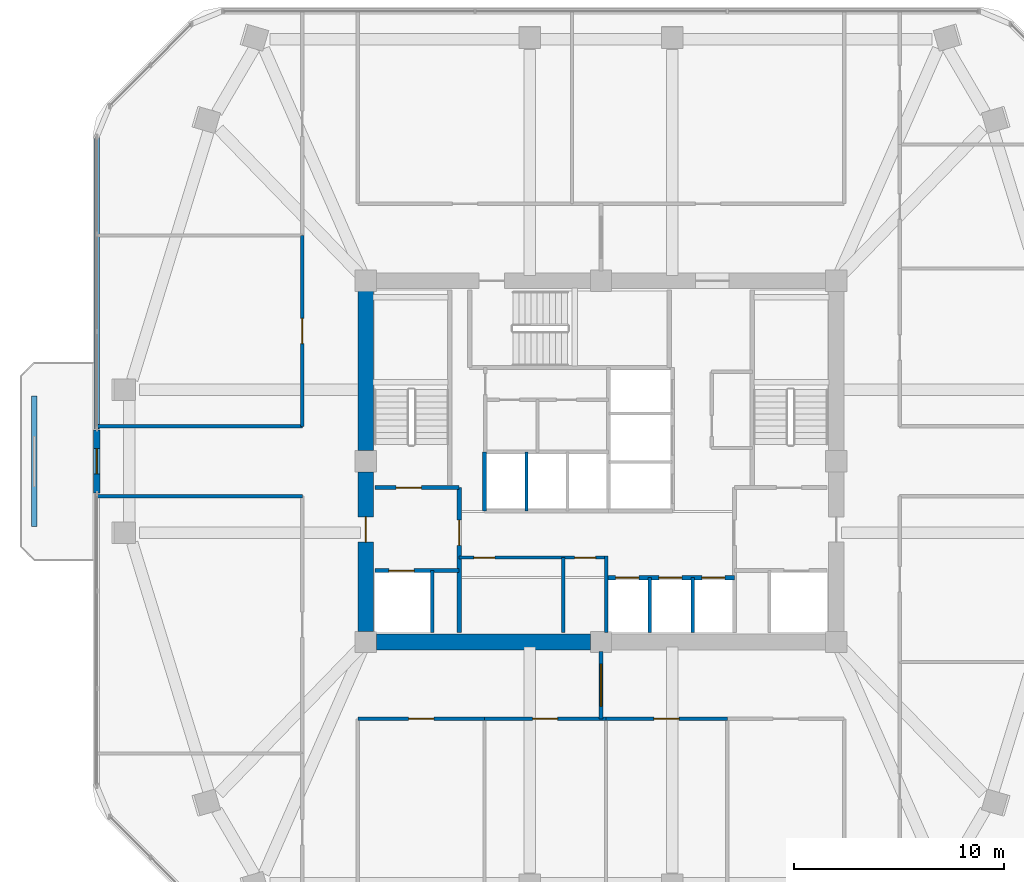
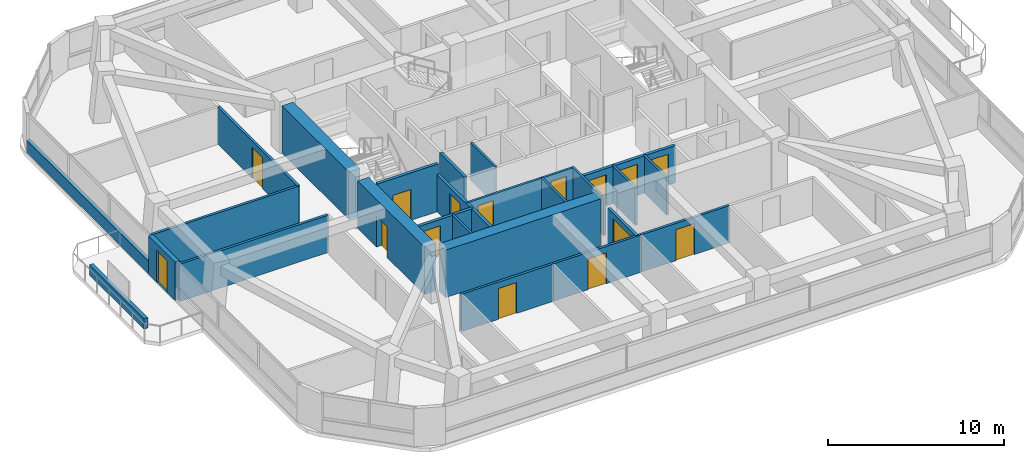
# One storey, part 9 of 14: 25 walls, 15 doors, 15 openings.
"""IFC4 building model written with IfcOpenShell, lengths in metres."""

from ifc_helpers import new_model, si_unit, derived_unit, direction, frame, frame_2d, origin, place, context, subcontext, project, spatial, rectangle, extrude, material, layer, layer_set, type_object, element, fill, save


model = new_model("IFC4")

# Units and contexts
model_context = context("Model", 3, precision=1e-05, world=origin(), true_north=direction((0.0, 1.0)))
body_context = subcontext(model_context, "Body", "Model", "MODEL_VIEW")
ifc_project = project(units=[si_unit("LENGTHUNIT", "METRE"), si_unit("AREAUNIT", "SQUARE_METRE"), si_unit("VOLUMEUNIT", "CUBIC_METRE"), si_unit("PLANEANGLEUNIT", "RADIAN"), si_unit("MASSUNIT", "GRAM", prefix="KILO"), derived_unit("THERMALTRANSMITTANCEUNIT", [(si_unit("POWERUNIT", "WATT"), 1), (si_unit("LENGTHUNIT", "METRE"), -2), (si_unit("THERMODYNAMICTEMPERATUREUNIT", "KELVIN"), -1)])], contexts=[model_context])

# Site, building, storey
site_placement = place(None, origin())
site = spatial("IfcSite", under=ifc_project, at=site_placement, CompositionType="ELEMENT")
building_placement = place(site_placement, origin())
building = spatial("IfcBuilding", under=site, at=building_placement, Name="Koralith Skygarden Medical Center", CompositionType="ELEMENT")
storey_placement = place(building_placement, frame((0.0, 0.0, 120.780029296875)))
storey = spatial("IfcBuildingStorey", under=building, at=storey_placement, Name="L31", CompositionType="ELEMENT", Elevation=120.780029296875)

# Wall, openings, doors
ifc_material_1 = material(Name="Gypsum Board Partition")
ifc_layer_1 = layer(ifc_material_1, 0.14990234375)
ifc_layer_set_1 = layer_set([ifc_layer_1], Name="Gypsum Board Partition")
wall_type_1 = type_object("IfcWallType", Name="Clinical Acoustic Partition 150", PredefinedType="PARTITIONING", material=ifc_layer_set_1)
wall_1_placement = place(storey_placement, frame((30.25, 21.320068359375, 0.0), z_axis=(0.0, 0.0, 1.0), x_axis=(1.0, 0.0, 0.0)))
wall_1 = element("IfcWall", 1, at=wall_1_placement, inside=storey, type_object=wall_type_1, Name="L31 Clinical Acoustic Partition 150 W-CORE-L31-FREED-LR-N", PredefinedType="PARTITIONING", context=body_context, shape_type="SweptSolid", body=[
    extrude(rectangle(XDim=7.0, YDim=0.14990234375, at=frame_2d((3.5, 0.0))), origin(), (0.0, 0.0, 1.0), 2.590087890625),
])
opening_1_placement = place(wall_1_placement, frame((0.699951171875, 0.0, 0.0)))
opening_1 = element("IfcOpeningElement", 2, at=opening_1_placement, cuts=wall_1, Name="Opening D-SUP", PredefinedType="OPENING", context=body_context, shape_type="SweptSolid", body=[
    extrude(rectangle(XDim=1.0, YDim=2.14990234375, at=frame_2d((0.5, 1.074951171875))), frame((0.0, 0.0849609375, 0.0), z_axis=(0.0, -1.0, 0.0), x_axis=(1.0, 0.0, 0.0)), (0.0, 0.0, 1.0), 0.169921875),
])
opening_2_placement = place(wall_1_placement, frame((5.5, 0.0, 0.0)))
opening_2 = element("IfcOpeningElement", 3, at=opening_2_placement, cuts=wall_1, Name="Opening D-SUP", PredefinedType="OPENING", context=body_context, shape_type="SweptSolid", body=[
    extrude(rectangle(XDim=1.0, YDim=2.14990234375, at=frame_2d((0.5, 1.074951171875))), frame((0.0, 0.0849609375, 0.0), z_axis=(0.0, -1.0, 0.0), x_axis=(1.0, 0.0, 0.0)), (0.0, 0.0, 1.0), 0.169921875),
])
ifc_material_2 = material(Name="Aluminium 6063-T6", Category="aluminium")
door_type_1 = type_object("IfcDoorType", Name="Clinical Support Door D-SUP 1000", OperationType="NOTDEFINED", PredefinedType="DOOR", material=ifc_material_2)
door_1_placement = place(opening_1_placement, frame((1.0, 0.0, 0.0), z_axis=(0.0, 0.0, 1.0), x_axis=(-1.0, 0.0, 0.0)))
door_1 = element("IfcDoor", 4, at=door_1_placement, inside=storey, type_object=door_type_1, Name="L31 Medication Preparation Door", OperationType="SINGLE_SWING_LEFT", OverallHeight=2.14990234375, OverallWidth=1.0, PredefinedType="DOOR", context=body_context, shape_type="SweptSolid", body=[
    extrude(rectangle(XDim=1.0, YDim=2.14990234375, at=frame_2d((0.5, 1.074951171875))), frame((0.0, 0.02490234375, 0.0), z_axis=(0.0, -1.0, 0.0), x_axis=(1.0, 0.0, 0.0)), (0.0, 0.0, 1.0), 0.050048828125),
])
fill(opening_1, door_1)
door_2_placement = place(opening_2_placement, frame((1.0, 0.0, 0.0), z_axis=(0.0, 0.0, 1.0), x_axis=(-1.0, 0.0, 0.0)))
door_2 = element("IfcDoor", 5, at=door_2_placement, inside=storey, type_object=door_type_1, Name="L31 Telemetry Room Door", OperationType="SINGLE_SWING_RIGHT", OverallHeight=2.14990234375, OverallWidth=1.0, PredefinedType="DOOR", context=body_context, shape_type="SweptSolid", body=[
    extrude(rectangle(XDim=1.0, YDim=2.14990234375, at=frame_2d((0.5, 1.074951171875))), frame((0.0, 0.02490234375, 0.0), z_axis=(0.0, -1.0, 0.0), x_axis=(1.0, 0.0, 0.0)), (0.0, 0.0, 1.0), 0.050048828125),
])
fill(opening_2, door_2)

# Walls
wall_2_placement = place(storey_placement, frame((35.199951171875, 17.75, 0.0), z_axis=(0.0, 0.0, 1.0), x_axis=(0.0, 1.0, 0.0)))
element("IfcWall", 6, at=wall_2_placement, inside=storey, type_object=wall_type_1, Name="L31 Clinical Acoustic Partition 150 W-CORE-L31-FREED-LR-M", PredefinedType="PARTITIONING", context=body_context, shape_type="SweptSolid", body=[
    extrude(rectangle(XDim=3.570068359375, YDim=0.14990234375, at=frame_2d((1.78515625, 0.0))), origin(), (0.0, 0.0, 1.0), 2.590087890625),
])
ifc_layer_2 = layer(ifc_material_1, 0.1650390625)
ifc_layer_set_2 = layer_set([ifc_layer_2], Name="Gypsum Board Partition")
wall_type_2 = type_object("IfcWallType", Name="Clinical Corridor Partition 165", PredefinedType="PARTITIONING", material=ifc_layer_set_2)
for number, where, z_axis, x_axis, name in (
    (7, (13.02001953125, 24.239990234375, 0.0), (0.0, 0.0, 1.0), (1.0, 0.0, 0.0), "L31 Clinical Corridor Partition 165 W-HCOR-L31-EWS-W"),
    (8, (13.02001953125, 27.56005859375, 0.0), (0.0, 0.0, 1.0), (1.0, 0.0, 0.0), "L31 Clinical Corridor Partition 165 W-HCOR-L31-EWN-W"),
):
    element("IfcWall", number, at=place(storey_placement, frame(where, z_axis=z_axis, x_axis=x_axis)), inside=storey, type_object=wall_type_2, Name=name, PredefinedType="PARTITIONING", context=body_context, shape_type="SweptSolid", body=[
        extrude(rectangle(XDim=9.77001953125, YDim=0.1650390625, at=frame_2d((4.885009765625, 0.0))), origin(), (0.0, 0.0, 1.0), 2.590087890625),
    ])

# Wall, opening, door
wall_3_placement = place(storey_placement, frame((25.429931640625, 13.639892578125, 0.0), z_axis=(0.0, 0.0, 1.0), x_axis=(1.0, 0.0, 0.0)))
wall_3 = element("IfcWall", 9, at=wall_3_placement, inside=storey, type_object=wall_type_2, Name="L31 Clinical Corridor Partition 165 W-CORR-L31-S-01", PredefinedType="PARTITIONING", context=body_context, shape_type="SweptSolid", body=[
    extrude(rectangle(XDim=6.02099609375, YDim=0.1650390625, at=frame_2d((3.010498046875, 0.0))), origin(), (0.0, 0.0, 1.0), 2.590087890625),
])
opening_3_placement = place(wall_3_placement, frame((2.410888671875, 0.0, 0.0)))
opening_3 = element("IfcOpeningElement", 10, at=opening_3_placement, cuts=wall_3, Name="Opening D-CLN", PredefinedType="OPENING", context=body_context, shape_type="SweptSolid", body=[
    extrude(rectangle(XDim=1.199951171875, YDim=2.14990234375, at=frame_2d((0.60009765625, 1.074951171875))), frame((0.0, 0.092529296875, 0.0), z_axis=(0.0, -1.0, 0.0), x_axis=(1.0, 0.0, 0.0)), (0.0, 0.0, 1.0), 0.18505859375),
])
door_type_2 = type_object("IfcDoorType", Name="Clinical Corridor Door D-CLN 1200", OperationType="NOTDEFINED", PredefinedType="DOOR", material=ifc_material_2)
door_3_placement = place(opening_3_placement, frame((1.199951171875, 0.0, 0.0), z_axis=(0.0, 0.0, 1.0), x_axis=(-1.0, 0.0, 0.0)))
door_3 = element("IfcDoor", 11, at=door_3_placement, inside=storey, type_object=door_type_2, Name="L31 Biomedical Cart Store 03 Door", OperationType="SINGLE_SWING_RIGHT", OverallHeight=2.14990234375, OverallWidth=1.199951171875, PredefinedType="DOOR", context=body_context, shape_type="SweptSolid", body=[
    extrude(rectangle(XDim=1.199951171875, YDim=2.14990234375, at=frame_2d((0.60009765625, 1.074951171875))), frame((0.0, 0.02490234375, 0.0), z_axis=(0.0, -1.0, 0.0), x_axis=(1.0, 0.0, 0.0)), (0.0, 0.0, 1.0), 0.050048828125),
])
fill(opening_3, door_3)

wall_4_placement = place(storey_placement, frame((31.450927734375, 13.639892578125, 0.0), z_axis=(0.0, 0.0, 1.0), x_axis=(1.0, 0.0, 0.0)))
wall_4 = element("IfcWall", 12, at=wall_4_placement, inside=storey, type_object=wall_type_2, Name="L31 Clinical Corridor Partition 165 W-CORR-L31-S-02", PredefinedType="PARTITIONING", context=body_context, shape_type="SweptSolid", body=[
    extrude(rectangle(XDim=5.780029296875, YDim=0.1650390625, at=frame_2d((2.89013671875, 0.0))), origin(), (0.0, 0.0, 1.0), 2.590087890625),
])
opening_4_placement = place(wall_4_placement, frame((2.2900390625, 0.0, 0.0)))
opening_4 = element("IfcOpeningElement", 13, at=opening_4_placement, cuts=wall_4, Name="Opening D-CLN", PredefinedType="OPENING", context=body_context, shape_type="SweptSolid", body=[
    extrude(rectangle(XDim=1.199951171875, YDim=2.14990234375, at=frame_2d((0.60009765625, 1.074951171875))), frame((0.0, 0.092529296875, 0.0), z_axis=(0.0, -1.0, 0.0), x_axis=(1.0, 0.0, 0.0)), (0.0, 0.0, 1.0), 0.18505859375),
])
door_4_placement = place(opening_4_placement, frame((1.199951171875, 0.0, 0.0), z_axis=(0.0, 0.0, 1.0), x_axis=(-1.0, 0.0, 0.0)))
door_4 = element("IfcDoor", 14, at=door_4_placement, inside=storey, type_object=door_type_2, Name="L31 Visitor Waiting Lounge 04 Door", OperationType="SINGLE_SWING_LEFT", OverallHeight=2.14990234375, OverallWidth=1.199951171875, PredefinedType="DOOR", context=body_context, shape_type="SweptSolid", body=[
    extrude(rectangle(XDim=1.199951171875, YDim=2.14990234375, at=frame_2d((0.60009765625, 1.074951171875))), frame((0.0, 0.02490234375, 0.0), z_axis=(0.0, -1.0, 0.0), x_axis=(1.0, 0.0, 0.0)), (0.0, 0.0, 1.0), 0.050048828125),
])
fill(opening_4, door_4)

wall_5_placement = place(storey_placement, frame((37.23095703125, 13.639892578125, 0.0), z_axis=(0.0, 0.0, 1.0), x_axis=(1.0, 0.0, 0.0)))
wall_5 = element("IfcWall", 15, at=wall_5_placement, inside=storey, type_object=wall_type_2, Name="L31 Clinical Corridor Partition 165 W-CORR-L31-S-03", PredefinedType="PARTITIONING", context=body_context, shape_type="SweptSolid", body=[
    extrude(rectangle(XDim=5.780029296875, YDim=0.1650390625, at=frame_2d((2.89013671875, 0.0))), origin(), (0.0, 0.0, 1.0), 2.590087890625),
])
opening_5_placement = place(wall_5_placement, frame((2.2900390625, 0.0, 0.0)))
opening_5 = element("IfcOpeningElement", 16, at=opening_5_placement, cuts=wall_5, Name="Opening D-CLN", PredefinedType="OPENING", context=body_context, shape_type="SweptSolid", body=[
    extrude(rectangle(XDim=1.199951171875, YDim=2.14990234375, at=frame_2d((0.60009765625, 1.074951171875))), frame((0.0, 0.092529296875, 0.0), z_axis=(0.0, -1.0, 0.0), x_axis=(1.0, 0.0, 0.0)), (0.0, 0.0, 1.0), 0.18505859375),
])
door_5_placement = place(opening_5_placement, frame((1.199951171875, 0.0, 0.0), z_axis=(0.0, 0.0, 1.0), x_axis=(-1.0, 0.0, 0.0)))
door_5 = element("IfcDoor", 17, at=door_5_placement, inside=storey, type_object=door_type_2, Name="L31 Telemedicine Consult Office 05 Door", OperationType="SINGLE_SWING_RIGHT", OverallHeight=2.14990234375, OverallWidth=1.199951171875, PredefinedType="DOOR", context=body_context, shape_type="SweptSolid", body=[
    extrude(rectangle(XDim=1.199951171875, YDim=2.14990234375, at=frame_2d((0.60009765625, 1.074951171875))), frame((0.0, 0.02490234375, 0.0), z_axis=(0.0, -1.0, 0.0), x_axis=(1.0, 0.0, 0.0)), (0.0, 0.0, 1.0), 0.050048828125),
])
fill(opening_5, door_5)

wall_6_placement = place(storey_placement, frame((22.7900390625, 27.56005859375, 0.0), z_axis=(0.0, 0.0, 1.0), x_axis=(0.0, 1.0, 0.0)))
wall_6 = element("IfcWall", 18, at=wall_6_placement, inside=storey, type_object=wall_type_2, Name="L31 Clinical Corridor Partition 165 W-CORR-L31-WN-01", PredefinedType="PARTITIONING", context=body_context, shape_type="SweptSolid", body=[
    extrude(rectangle(XDim=9.08203125, YDim=0.1650390625, at=frame_2d((4.541015625, 0.0))), origin(), (0.0, 0.0, 1.0), 2.590087890625),
])
opening_6_placement = place(wall_6_placement, frame((3.94091796875, 0.0, 0.0)))
opening_6 = element("IfcOpeningElement", 19, at=opening_6_placement, cuts=wall_6, Name="Opening D-CLN", PredefinedType="OPENING", context=body_context, shape_type="SweptSolid", body=[
    extrude(rectangle(XDim=1.199951171875, YDim=2.14990234375, at=frame_2d((0.60009765625, 1.074951171875))), frame((0.0, 0.092529296875, 0.0), z_axis=(0.0, -1.0, 0.0), x_axis=(1.0, 0.0, 0.0)), (0.0, 0.0, 1.0), 0.18505859375),
])
door_6_placement = place(opening_6_placement, frame((1.199951171875, 0.0, 0.0), z_axis=(0.0, 0.0, 1.0), x_axis=(-1.0, 0.0, 0.0)))
door_6 = element("IfcDoor", 20, at=door_6_placement, inside=storey, type_object=door_type_2, Name="L31 Telemedicine Consult Office 09 Door", OperationType="SINGLE_SWING_RIGHT", OverallHeight=2.14990234375, OverallWidth=1.199951171875, PredefinedType="DOOR", context=body_context, shape_type="SweptSolid", body=[
    extrude(rectangle(XDim=1.199951171875, YDim=2.14990234375, at=frame_2d((0.60009765625, 1.074951171875))), frame((0.0, 0.02490234375, 0.0), z_axis=(0.0, -1.0, 0.0), x_axis=(1.0, 0.0, 0.0)), (0.0, 0.0, 1.0), 0.050048828125),
])
fill(opening_6, door_6)

ifc_layer_3 = layer(ifc_material_1, 0.199951171875)
ifc_layer_set_3 = layer_set([ifc_layer_3], Name="Gypsum Board Partition")
wall_type_3 = type_object("IfcWallType", Name="Fire Shaft Wall 200", PredefinedType="SOLIDWALL", material=ifc_layer_set_3)
wall_7_placement = place(storey_placement, frame((26.25, 20.699951171875, 0.0), z_axis=(0.0, 0.0, 1.0), x_axis=(1.0, 0.0, 0.0)))
wall_7 = element("IfcWall", 21, at=wall_7_placement, inside=storey, type_object=wall_type_3, Name="L31 Fire Shaft Wall 200 W-CORE-L31-FF1-N", PredefinedType="SOLIDWALL", context=body_context, shape_type="SweptSolid", body=[
    extrude(rectangle(XDim=4.0, YDim=0.199951171875, at=frame_2d((2.0, 0.0))), origin(), (0.0, 0.0, 1.0), 2.590087890625),
])
opening_7_placement = place(wall_7_placement, frame((0.64990234375, 0.0, 0.0)))
opening_7 = element("IfcOpeningElement", 22, at=opening_7_placement, cuts=wall_7, Name="Opening LD-FF", PredefinedType="OPENING", context=body_context, shape_type="SweptSolid", body=[
    extrude(rectangle(XDim=1.199951171875, YDim=2.14990234375, at=frame_2d((0.60009765625, 1.074951171875))), frame((0.0, 0.10986328125, 0.0), z_axis=(0.0, -1.0, 0.0), x_axis=(1.0, 0.0, 0.0)), (0.0, 0.0, 1.0), 0.219970703125),
])
ifc_material_3 = material(Name="Steel ASTM A500 Grade C", Category="steel")
door_type_3 = type_object("IfcDoorType", Name="Fire Lift Sliding Landing Door LD-FF 1200", OperationType="NOTDEFINED", PredefinedType="DOOR", material=ifc_material_3)
door_7_placement = place(opening_7_placement, origin())
door_7 = element("IfcDoor", 23, at=door_7_placement, inside=storey, type_object=door_type_3, Name="L31 Fire Service Elevator FF1 Landing Door", OperationType="SLIDING_TO_LEFT", OverallHeight=2.14990234375, OverallWidth=1.199951171875, PredefinedType="DOOR", context=body_context, shape_type="SweptSolid", body=[
    extrude(rectangle(XDim=1.199951171875, YDim=2.14990234375, at=frame_2d((0.60009765625, 1.074951171875))), frame((0.0, 0.02490234375, 0.0), z_axis=(0.0, -1.0, 0.0), x_axis=(1.0, 0.0, 0.0)), (0.0, 0.0, 1.0), 0.050048828125),
])
fill(opening_7, door_7)

wall_8_placement = place(storey_placement, frame((30.25, 17.75, 0.0), z_axis=(0.0, 0.0, 1.0), x_axis=(0.0, 1.0, 0.0)))
wall_8 = element("IfcWall", 24, at=wall_8_placement, inside=storey, type_object=wall_type_3, Name="L31 Fire Shaft Wall 200 W-CORE-L31-FSAEW-E", PredefinedType="SOLIDWALL", context=body_context, shape_type="SweptSolid", body=[
    extrude(rectangle(XDim=6.89990234375, YDim=0.199951171875, at=frame_2d((3.449951171875, 0.0))), origin(), (0.0, 0.0, 1.0), 2.590087890625),
])
opening_8_placement = place(wall_8_placement, frame((4.14990234375, 0.0, 0.0)))
opening_8 = element("IfcOpeningElement", 25, at=opening_8_placement, cuts=wall_8, Name="Opening D-ST60", PredefinedType="OPENING", context=body_context, shape_type="SweptSolid", body=[
    extrude(rectangle(XDim=1.199951171875, YDim=2.14990234375, at=frame_2d((0.60009765625, 1.074951171875))), frame((0.0, 0.10986328125, 0.0), z_axis=(0.0, -1.0, 0.0), x_axis=(1.0, 0.0, 0.0)), (0.0, 0.0, 1.0), 0.219970703125),
])
door_type_4 = type_object("IfcDoorType", Name="Smokeproof Stair Fire Door FD60S 1200", OperationType="NOTDEFINED", PredefinedType="DOOR", material=ifc_material_3)
door_8_placement = place(opening_8_placement, origin())
door_8 = element("IfcDoor", 26, at=door_8_placement, inside=storey, type_object=door_type_4, Name="L31 West Firefighting Lobby Inner Fire Door", OperationType="SINGLE_SWING_LEFT", OverallHeight=2.14990234375, OverallWidth=1.199951171875, PredefinedType="DOOR", context=body_context, shape_type="SweptSolid", body=[
    extrude(rectangle(XDim=1.199951171875, YDim=2.14990234375, at=frame_2d((0.60009765625, 1.074951171875))), frame((0.0, 0.02490234375, 0.0), z_axis=(0.0, -1.0, 0.0), x_axis=(1.0, 0.0, 0.0)), (0.0, 0.0, 1.0), 0.050048828125),
])
fill(opening_8, door_8)

# Wall, openings, doors
wall_9_placement = place(storey_placement, frame((37.25, 20.360107421875, 0.0), z_axis=(0.0, 0.0, 1.0), x_axis=(1.0, 0.0, 0.0)))
wall_9 = element("IfcWall", 27, at=wall_9_placement, inside=storey, type_object=wall_type_3, Name="L31 Fire Shaft Wall 200 W-CORE-L31-PM-N", PredefinedType="SOLIDWALL", context=body_context, shape_type="SweptSolid", body=[
    extrude(rectangle(XDim=6.10009765625, YDim=0.199951171875, at=frame_2d((3.050048828125, 0.0))), origin(), (0.0, 0.0, 1.0), 2.590087890625),
])
opening_9_placement = place(wall_9_placement, frame((0.449951171875, 0.0, 0.0)))
opening_9 = element("IfcOpeningElement", 28, at=opening_9_placement, cuts=wall_9, Name="Opening LD-P", PredefinedType="OPENING", context=body_context, shape_type="SweptSolid", body=[
    extrude(rectangle(XDim=1.10009765625, YDim=2.14990234375, at=frame_2d((0.550048828125, 1.074951171875))), frame((0.0, 0.10986328125, 0.0), z_axis=(0.0, -1.0, 0.0), x_axis=(1.0, 0.0, 0.0)), (0.0, 0.0, 1.0), 0.219970703125),
])
opening_10_placement = place(wall_9_placement, frame((2.5, 0.0, 0.0)))
opening_10 = element("IfcOpeningElement", 29, at=opening_10_placement, cuts=wall_9, Name="Opening LD-P", PredefinedType="OPENING", context=body_context, shape_type="SweptSolid", body=[
    extrude(rectangle(XDim=1.10009765625, YDim=2.14990234375, at=frame_2d((0.550048828125, 1.074951171875))), frame((0.0, 0.10986328125, 0.0), z_axis=(0.0, -1.0, 0.0), x_axis=(1.0, 0.0, 0.0)), (0.0, 0.0, 1.0), 0.219970703125),
])
opening_11_placement = place(wall_9_placement, frame((4.550048828125, 0.0, 0.0)))
opening_11 = element("IfcOpeningElement", 30, at=opening_11_placement, cuts=wall_9, Name="Opening LD-P", PredefinedType="OPENING", context=body_context, shape_type="SweptSolid", body=[
    extrude(rectangle(XDim=1.10009765625, YDim=2.14990234375, at=frame_2d((0.550048828125, 1.074951171875))), frame((0.0, 0.10986328125, 0.0), z_axis=(0.0, -1.0, 0.0), x_axis=(1.0, 0.0, 0.0)), (0.0, 0.0, 1.0), 0.219970703125),
])
door_type_5 = type_object("IfcDoorType", Name="Passenger Lift Sliding Landing Door LD-P 1100", OperationType="NOTDEFINED", PredefinedType="DOOR", material=ifc_material_3)
door_9_placement = place(opening_9_placement, origin())
door_9 = element("IfcDoor", 31, at=door_9_placement, inside=storey, type_object=door_type_5, Name="L31 Passenger Elevator PM1 Landing Door", OperationType="SLIDING_TO_LEFT", OverallHeight=2.14990234375, OverallWidth=1.10009765625, PredefinedType="DOOR", context=body_context, shape_type="SweptSolid", body=[
    extrude(rectangle(XDim=1.10009765625, YDim=2.14990234375, at=frame_2d((0.550048828125, 1.074951171875))), frame((0.0, 0.02490234375, 0.0), z_axis=(0.0, -1.0, 0.0), x_axis=(1.0, 0.0, 0.0)), (0.0, 0.0, 1.0), 0.050048828125),
])
fill(opening_9, door_9)
door_10_placement = place(opening_10_placement, origin())
door_10 = element("IfcDoor", 32, at=door_10_placement, inside=storey, type_object=door_type_5, Name="L31 Passenger Elevator PM2 Landing Door", OperationType="SLIDING_TO_LEFT", OverallHeight=2.14990234375, OverallWidth=1.10009765625, PredefinedType="DOOR", context=body_context, shape_type="SweptSolid", body=[
    extrude(rectangle(XDim=1.10009765625, YDim=2.14990234375, at=frame_2d((0.550048828125, 1.074951171875))), frame((0.0, 0.02490234375, 0.0), z_axis=(0.0, -1.0, 0.0), x_axis=(1.0, 0.0, 0.0)), (0.0, 0.0, 1.0), 0.050048828125),
])
fill(opening_10, door_10)
door_11_placement = place(opening_11_placement, origin())
door_11 = element("IfcDoor", 33, at=door_11_placement, inside=storey, type_object=door_type_5, Name="L31 Passenger Elevator PM3 Landing Door", OperationType="SLIDING_TO_LEFT", OverallHeight=2.14990234375, OverallWidth=1.10009765625, PredefinedType="DOOR", context=body_context, shape_type="SweptSolid", body=[
    extrude(rectangle(XDim=1.10009765625, YDim=2.14990234375, at=frame_2d((0.550048828125, 1.074951171875))), frame((0.0, 0.02490234375, 0.0), z_axis=(0.0, -1.0, 0.0), x_axis=(1.0, 0.0, 0.0)), (0.0, 0.0, 1.0), 0.050048828125),
])
fill(opening_11, door_11)

# Wall
wall_10_placement = place(storey_placement, frame((31.449951171875, 23.5400390625, 0.0), z_axis=(0.0, 0.0, 1.0), x_axis=(0.0, 1.0, 0.0)))
element("IfcWall", 34, at=wall_10_placement, inside=storey, type_object=wall_type_3, Name="L31 Fire Shaft Wall 200 W-CORE-L31-PH-W", PredefinedType="SOLIDWALL", context=body_context, shape_type="SweptSolid", body=[
    extrude(rectangle(XDim=2.81005859375, YDim=0.199951171875, at=frame_2d((1.405029296875, 0.0))), origin(), (0.0, 0.0, 1.0), 2.590087890625),
])

# Wall, opening, door
ifc_layer_4 = layer(ifc_material_1, 0.179931640625)
ifc_layer_set_4 = layer_set([ifc_layer_4], Name="Gypsum Board Partition")
wall_type_4 = type_object("IfcWallType", Name="Group I-2 Smoke Barrier Wall 180", PredefinedType="PARTITIONING", material=ifc_layer_set_4)
wall_11_placement = place(storey_placement, frame((37.0, 13.639892578125, 0.0), z_axis=(0.0, 0.0, 1.0), x_axis=(0.0, 1.0, 0.0)))
wall_11 = element("IfcWall", 35, at=wall_11_placement, inside=storey, type_object=wall_type_4, Name="L31 Group I-2 Smoke Barrier Wall 180 W-SMK-L31-S", PredefinedType="PARTITIONING", context=body_context, shape_type="SweptSolid", body=[
    extrude(rectangle(XDim=3.210205078125, YDim=0.179931640625, at=frame_2d((1.60498046875, 0.0))), origin(), (0.0, 0.0, 1.0), 2.590087890625),
])
opening_12_placement = place(wall_11_placement, frame((0.60498046875, 0.0, 0.0)))
opening_12 = element("IfcOpeningElement", 36, at=opening_12_placement, cuts=wall_11, Name="Opening D-SMK", PredefinedType="OPENING", context=body_context, shape_type="SweptSolid", body=[
    extrude(rectangle(XDim=2.0, YDim=2.199951171875, at=frame_2d((1.0, 1.10009765625))), frame((0.0, 0.099853515625, 0.0), z_axis=(0.0, -1.0, 0.0), x_axis=(1.0, 0.0, 0.0)), (0.0, 0.0, 1.0), 0.199951171875),
])
door_type_6 = type_object("IfcDoorType", Name="Cross-Corridor Double Smoke Door FD60S 2000", OperationType="NOTDEFINED", PredefinedType="DOOR", material=ifc_material_3)
door_12_placement = place(opening_12_placement, frame((2.0, 0.0, 0.0), z_axis=(0.0, 0.0, 1.0), x_axis=(-1.0, 0.0, 0.0)))
door_12 = element("IfcDoor", 37, at=door_12_placement, inside=storey, type_object=door_type_6, Name="L31 S Smoke Compartment Cross-Corridor Door", OperationType="DOUBLE_DOOR_SINGLE_SWING", OverallHeight=2.199951171875, OverallWidth=2.0, PredefinedType="DOOR", context=body_context, shape_type="SweptSolid", body=[
    extrude(rectangle(XDim=2.0, YDim=2.199951171875, at=frame_2d((1.0, 1.10009765625))), frame((0.0, 0.02490234375, 0.0), z_axis=(0.0, -1.0, 0.0), x_axis=(1.0, 0.0, 0.0)), (0.0, 0.0, 1.0), 0.050048828125),
])
fill(opening_12, door_12)

# Walls
ifc_material_4 = material(Name="Warm Oolitic Limestone Cladding", Category="masonry")
ifc_layer_5 = layer(ifc_material_4, 0.239990234375)
ifc_layer_set_5 = layer_set([ifc_layer_5], Name="Warm Oolitic Limestone Cladding")
wall_type_5 = type_object("IfcWallType", Name="Limestone Spandrel Sill Backup Wall 240", PredefinedType="SOLIDWALL", material=ifc_layer_set_5)
wall_12_placement = place(storey_placement, frame((13.0, 41.347900390625, 0.0), z_axis=(0.0, 0.0, 1.0), x_axis=(0.0, -1.0, 0.0)))
element("IfcWall", 38, at=wall_12_placement, inside=storey, type_object=wall_type_5, Name="L31 Sill Spandrel W-L", PredefinedType="SOLIDWALL", context=body_context, shape_type="SweptSolid", body=[
    extrude(rectangle(XDim=13.907958984375, YDim=0.239990234375, at=frame_2d((6.9541015625, 0.0))), origin(), (0.0, 0.0, 1.0), 0.849853515625),
])
ifc_material_5 = material(Name="Concrete C70/85", Category="concrete")
ifc_layer_6 = layer(ifc_material_5, 0.75)
ifc_layer_set_6 = layer_set([ifc_layer_6], Name="Concrete C70/85")
wall_type_6 = type_object("IfcWallType", Name="Mid Core Shear Wall 750", PredefinedType="SHEAR", material=ifc_layer_set_6)
wall_13_placement = place(storey_placement, frame((26.304931640625, 17.300048828125, 0.0), z_axis=(0.0, 0.0, 1.0), x_axis=(1.0, 0.0, 0.0)))
element("IfcWall", 39, at=wall_13_placement, inside=storey, type_object=wall_type_6, Name="L31 Core Shear Wall Segment 1", PredefinedType="SHEAR", context=body_context, shape_type="SweptSolid", body=[
    extrude(rectangle(XDim=10.190185546875, YDim=0.75, at=frame_2d((5.09521484375, 0.0))), origin(), (0.0, 0.0, 1.0), 3.300048828125),
])
wall_14_placement = place(storey_placement, frame((25.800048828125, 33.9951171875, 0.0), z_axis=(0.0, 0.0, 1.0), x_axis=(0.0, -1.0, 0.0)))
element("IfcWall", 40, at=wall_14_placement, inside=storey, type_object=wall_type_6, Name="L31 Core Shear Wall Segment 7", PredefinedType="SHEAR", context=body_context, shape_type="SweptSolid", body=[
    extrude(rectangle(XDim=7.590087890625, YDim=0.75, at=frame_2d((3.794921875, 0.0))), origin(), (0.0, 0.0, 1.0), 3.300048828125),
])

# Wall, opening, door
wall_15_placement = place(storey_placement, frame((25.800048828125, 25.39501953125, 0.0), z_axis=(0.0, 0.0, 1.0), x_axis=(0.0, -1.0, 0.0)))
wall_15 = element("IfcWall", 41, at=wall_15_placement, inside=storey, type_object=wall_type_6, Name="L31 Core Shear Wall Segment 8", PredefinedType="SHEAR", context=body_context, shape_type="SweptSolid", body=[
    extrude(rectangle(XDim=7.590087890625, YDim=0.75, at=frame_2d((3.794921875, 0.0))), origin(), (0.0, 0.0, 1.0), 3.300048828125),
])
opening_13_placement = place(wall_15_placement, frame((2.14501953125, 0.0, 0.0)))
opening_13 = element("IfcOpeningElement", 42, at=opening_13_placement, cuts=wall_15, Name="Opening D-ST60", PredefinedType="OPENING", context=body_context, shape_type="SweptSolid", body=[
    extrude(rectangle(XDim=1.199951171875, YDim=2.14990234375, at=frame_2d((0.60009765625, 1.074951171875))), frame((0.0, 0.385009765625, 0.0), z_axis=(0.0, -1.0, 0.0), x_axis=(1.0, 0.0, 0.0)), (0.0, 0.0, 1.0), 0.77001953125),
])
door_13_placement = place(opening_13_placement, frame((1.199951171875, 0.0, 0.0), z_axis=(0.0, 0.0, 1.0), x_axis=(-1.0, 0.0, 0.0)))
door_13 = element("IfcDoor", 43, at=door_13_placement, inside=storey, type_object=door_type_4, Name="L31 West Corridor to Firefighting Lobby Door", OperationType="SINGLE_SWING_LEFT", OverallHeight=2.14990234375, OverallWidth=1.199951171875, PredefinedType="DOOR", context=body_context, shape_type="SweptSolid", body=[
    extrude(rectangle(XDim=1.199951171875, YDim=2.14990234375, at=frame_2d((0.60009765625, 1.074951171875))), frame((0.0, 0.02490234375, 0.0), z_axis=(0.0, -1.0, 0.0), x_axis=(1.0, 0.0, 0.0)), (0.0, 0.0, 1.0), 0.050048828125),
])
fill(opening_13, door_13)

ifc_layer_7 = layer(ifc_material_4, 0.300048828125)
ifc_layer_set_7 = layer_set([ifc_layer_7], Name="Warm Oolitic Limestone Cladding")
wall_type_7 = type_object("IfcWallType", Name="Oolitic Limestone Insulated Facade Wall 300", PredefinedType="SOLIDWALL", material=ifc_layer_set_7)
wall_16_placement = place(storey_placement, frame((13.0, 27.39990234375, 0.0), z_axis=(0.0, 0.0, 1.0), x_axis=(0.0, -1.0, 0.0)))
wall_16 = element("IfcWall", 44, at=wall_16_placement, inside=storey, type_object=wall_type_7, Name="L31 Terrace Portal Wall W", PredefinedType="SOLIDWALL", context=body_context, shape_type="SweptSolid", body=[
    extrude(rectangle(XDim=3.0, YDim=0.300048828125, at=frame_2d((1.5, 0.0))), origin(), (0.0, 0.0, 1.0), 2.64990234375),
])
opening_14_placement = place(wall_16_placement, frame((0.89990234375, 0.0, 0.0)))
opening_14 = element("IfcOpeningElement", 45, at=opening_14_placement, cuts=wall_16, Name="Opening D-BAL", PredefinedType="OPENING", context=body_context, shape_type="SweptSolid", body=[
    extrude(rectangle(XDim=1.199951171875, YDim=2.199951171875, at=frame_2d((0.60009765625, 1.10009765625))), frame((0.0, 0.159912109375, 0.0), z_axis=(0.0, -1.0, 0.0), x_axis=(1.0, 0.0, 0.0)), (0.0, 0.0, 1.0), 0.320068359375),
])
door_type_7 = type_object("IfcDoorType", Name="Planted Balcony Glazed Terrace Door D-BAL 1200", OperationType="NOTDEFINED", PredefinedType="DOOR", material=ifc_material_2)
door_14_placement = place(opening_14_placement, origin())
door_14 = element("IfcDoor", 46, at=door_14_placement, inside=storey, type_object=door_type_7, Name="L31 W Outdoor Terrace Access Door", OperationType="SINGLE_SWING_RIGHT", OverallHeight=2.199951171875, OverallWidth=1.199951171875, PredefinedType="DOOR", context=body_context, shape_type="SweptSolid", body=[
    extrude(rectangle(XDim=1.199951171875, YDim=2.199951171875, at=frame_2d((0.60009765625, 1.10009765625))), frame((0.0, 0.02490234375, 0.0), z_axis=(0.0, -1.0, 0.0), x_axis=(1.0, 0.0, 0.0)), (0.0, 0.0, 1.0), 0.050048828125),
])
fill(opening_14, door_14)

# Walls
ifc_layer_8 = layer(ifc_material_1, 0.14990234375)
ifc_layer_set_8 = layer_set([ifc_layer_8], Name="Gypsum Board Partition")
wall_type_8 = type_object("IfcWallType", Name="Shaft Partition Wall 150", PredefinedType="PARTITIONING", material=ifc_layer_set_8)
wall_17_placement = place(storey_placement, frame((28.969970703125, 17.75, 0.0), z_axis=(0.0, 0.0, 1.0), x_axis=(0.0, 1.0, 0.0)))
element("IfcWall", 47, at=wall_17_placement, inside=storey, type_object=wall_type_8, Name="L31 Shaft Partition Wall 150 W-CORE-L31-RSRW-DIV", PredefinedType="PARTITIONING", context=body_context, shape_type="SweptSolid", body=[
    extrude(rectangle(XDim=2.949951171875, YDim=0.14990234375, at=frame_2d((1.47509765625, 0.0))), origin(), (0.0, 0.0, 1.0), 2.590087890625),
])
for number, where, z_axis, x_axis, name in (
    (48, (39.320068359375, 17.75, 0.0), (0.0, 0.0, 1.0), (0.0, 1.0, 0.0), "L31 Shaft Partition Wall 150 W-CORE-L31-PM-D1"),
    (49, (41.3701171875, 17.75, 0.0), (0.0, 0.0, 1.0), (0.0, 1.0, 0.0), "L31 Shaft Partition Wall 150 W-CORE-L31-PM-D2"),
):
    element("IfcWall", number, at=place(storey_placement, frame(where, z_axis=z_axis, x_axis=x_axis)), inside=storey, type_object=wall_type_8, Name=name, PredefinedType="PARTITIONING", context=body_context, shape_type="SweptSolid", body=[
        extrude(rectangle(XDim=2.610107421875, YDim=0.14990234375, at=frame_2d((1.30517578125, 0.0))), origin(), (0.0, 0.0, 1.0), 2.590087890625),
    ])
wall_18_placement = place(storey_placement, frame((37.25, 17.75, 0.0), z_axis=(0.0, 0.0, 1.0), x_axis=(0.0, 1.0, 0.0)))
element("IfcWall", 50, at=wall_18_placement, inside=storey, type_object=wall_type_8, Name="L31 Shaft Partition Wall 150 W-CORE-L31-PL-PM-SEP", PredefinedType="PARTITIONING", context=body_context, shape_type="SweptSolid", body=[
    extrude(rectangle(XDim=3.64990234375, YDim=0.14990234375, at=frame_2d((1.824951171875, 0.0))), origin(), (0.0, 0.0, 1.0), 2.590087890625),
])
wall_19_placement = place(storey_placement, frame((33.449951171875, 23.5400390625, 0.0), z_axis=(0.0, 0.0, 1.0), x_axis=(0.0, 1.0, 0.0)))
element("IfcWall", 51, at=wall_19_placement, inside=storey, type_object=wall_type_8, Name="L31 Shaft Partition Wall 150 W-CORE-L31-PH-D1", PredefinedType="PARTITIONING", context=body_context, shape_type="SweptSolid", body=[
    extrude(rectangle(XDim=2.81005859375, YDim=0.14990234375, at=frame_2d((1.405029296875, 0.0))), origin(), (0.0, 0.0, 1.0), 2.590087890625),
])
ifc_material_6 = material(Name="Precast concrete C40/50", Category="concrete")
ifc_layer_9 = layer(ifc_material_6, 0.25)
ifc_layer_set_9 = layer_set([ifc_layer_9], Name="Precast concrete C40/50")
wall_type_9 = type_object("IfcWallType", Name="Structural Concrete Balcony Planter Kerb 250", PredefinedType="PARAPET", material=ifc_layer_set_9)
wall_20_placement = place(storey_placement, frame((10.02001953125, 22.800048828125, 0.0), z_axis=(0.0, 0.0, 1.0), x_axis=(0.0, 1.0, 0.0)))
element("IfcWall", 52, at=wall_20_placement, inside=storey, type_object=wall_type_9, Name="L31 W Structural Tree PLANTER Box", PredefinedType="PARAPET", context=body_context, shape_type="SweptSolid", body=[
    extrude(rectangle(XDim=6.199951171875, YDim=0.25, at=frame_2d((3.10009765625, 0.0))), origin(), (0.0, 0.0, 1.0), 0.719970703125),
])

# Wall, opening, door
ifc_material_7 = material(Name="Concrete C45/55", Category="concrete")
ifc_layer_10 = layer(ifc_material_7, 0.199951171875)
ifc_layer_set_10 = layer_set([ifc_layer_10], Name="Concrete C45/55")
wall_type_10 = type_object("IfcWallType", Name="Structural Stair Shaft Wall 200", PredefinedType="SHEAR", material=ifc_layer_set_10)
wall_21_placement = place(storey_placement, frame((26.25, 24.64990234375, 0.0), z_axis=(0.0, 0.0, 1.0), x_axis=(1.0, 0.0, 0.0)))
wall_21 = element("IfcWall", 53, at=wall_21_placement, inside=storey, type_object=wall_type_10, Name="L31 Structural Stair Shaft Wall 200 W-CORE-L31-ST1-S", PredefinedType="SHEAR", context=body_context, shape_type="SweptSolid", body=[
    extrude(rectangle(XDim=4.0, YDim=0.199951171875, at=frame_2d((2.0, 0.0))), origin(), (0.0, 0.0, 1.0), 3.300048828125),
])
opening_15_placement = place(wall_21_placement, frame((1.0, 0.0, 0.0)))
opening_15 = element("IfcOpeningElement", 54, at=opening_15_placement, cuts=wall_21, Name="Opening D-ST60", PredefinedType="OPENING", context=body_context, shape_type="SweptSolid", body=[
    extrude(rectangle(XDim=1.199951171875, YDim=2.14990234375, at=frame_2d((0.60009765625, 1.074951171875))), frame((0.0, 0.10986328125, 0.0), z_axis=(0.0, -1.0, 0.0), x_axis=(1.0, 0.0, 0.0)), (0.0, 0.0, 1.0), 0.219970703125),
])
door_15_placement = place(opening_15_placement, origin())
door_15 = element("IfcDoor", 55, at=door_15_placement, inside=storey, type_object=door_type_4, Name="L31 Exit Stair ST1 Fire Door", OperationType="SINGLE_SWING_LEFT", OverallHeight=2.14990234375, OverallWidth=1.199951171875, PredefinedType="DOOR", context=body_context, shape_type="SweptSolid", body=[
    extrude(rectangle(XDim=1.199951171875, YDim=2.14990234375, at=frame_2d((0.60009765625, 1.074951171875))), frame((0.0, 0.02490234375, 0.0), z_axis=(0.0, -1.0, 0.0), x_axis=(1.0, 0.0, 0.0)), (0.0, 0.0, 1.0), 0.050048828125),
])
fill(opening_15, door_15)

save(model, "model.ifc")
